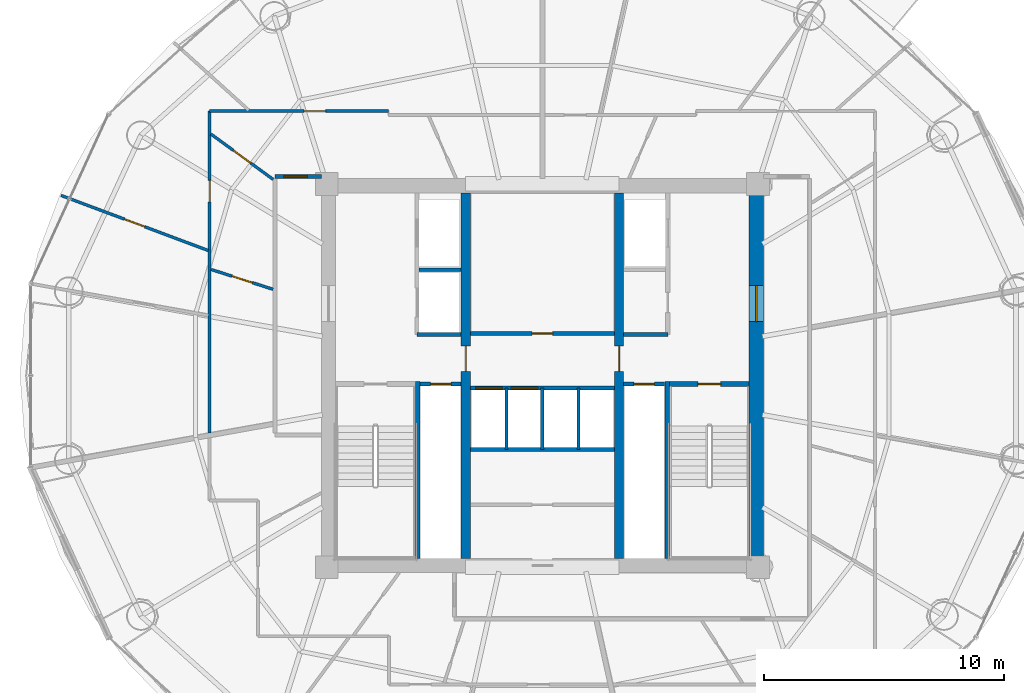
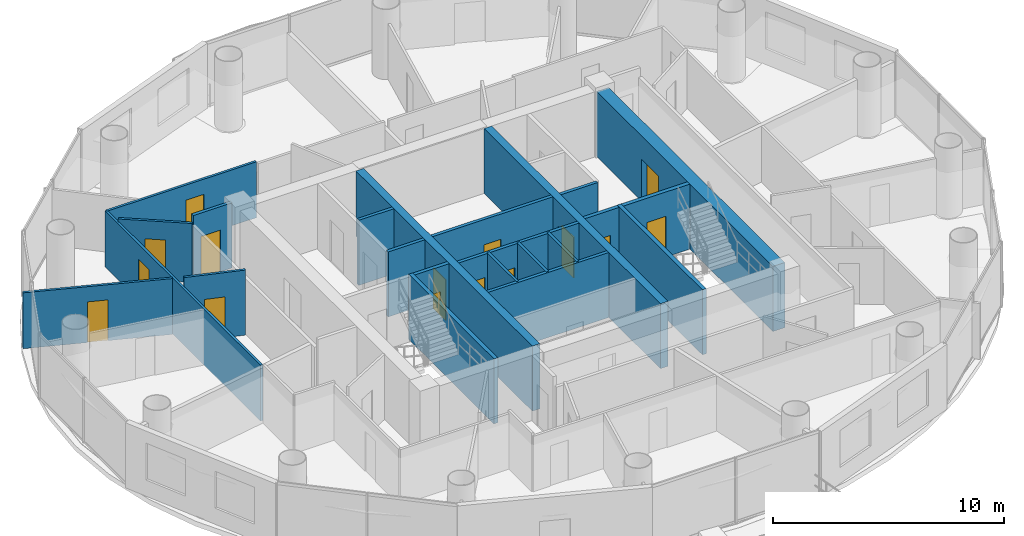
# One storey, part 21 of 27: 23 walls, 15 doors, 15 openings.
"""IFC4 building model written with IfcOpenShell, lengths in metres."""

from ifc_helpers import new_model, si_unit, direction, frame, frame_2d, origin, place, context, subcontext, project, spatial, rectangle, extrude, source, transform, mapped, material, layer, layer_set, type_object, element, fill, save


model = new_model("IFC4")

# Units and contexts
model_context = context("Model", 3, precision=1e-05, world=origin(), true_north=direction((-0.2419218956, 0.970295726276)))
body_context = subcontext(model_context, "Body", "Model", "MODEL_VIEW")
ifc_project = project(units=[si_unit("LENGTHUNIT", "METRE"), si_unit("AREAUNIT", "SQUARE_METRE"), si_unit("VOLUMEUNIT", "CUBIC_METRE"), si_unit("PLANEANGLEUNIT", "RADIAN"), si_unit("MASSUNIT", "GRAM", prefix="KILO")], contexts=[model_context])

# Site, building, storey
site_placement = place(None, origin())
site = spatial("IfcSite", under=ifc_project, at=site_placement, CompositionType="ELEMENT")
building_placement = place(site_placement, origin())
building = spatial("IfcBuilding", under=site, at=building_placement, Name="Cobrevalo Terracotta Tower", CompositionType="ELEMENT")
storey_placement = place(building_placement, frame((0.0, 0.0, 198.60009765625)))
storey = spatial("IfcBuildingStorey", under=building, at=storey_placement, Name="L52", CompositionType="ELEMENT", Elevation=198.60009765625)

# Wall, opening, door
ifc_material_1 = material(Name="Concrete C55", Category="concrete")
ifc_layer_1 = layer(ifc_material_1, 0.60009765625)
ifc_layer_set_1 = layer_set([ifc_layer_1], Name="Concrete C55")
wall_type_1 = type_object("IfcWallType", Name="Core shear wall 600 mm Concrete C55", PredefinedType="SHEAR", material=ifc_layer_set_1)
wall_1_placement = place(storey_placement, frame((46.925048828125, 19.175048828125, 0.0), z_axis=(0.0, 0.0, 1.0), x_axis=(0.0, 1.0, 0.0)))
wall_1 = element("IfcWall", 1, at=wall_1_placement, inside=storey, type_object=wall_type_1, Name="L52 east core shear wall", PredefinedType="SHEAR", context=body_context, shape_type="SweptSolid", body=[
    extrude(rectangle(XDim=15.25, YDim=0.60009765625, at=frame_2d((7.625, 0.0))), origin(), (0.0, 0.0, 1.0), 3.434814453125),
])
opening_1_placement = place(wall_1_placement, frame((9.875, 0.0, 0.0)))
opening_1 = element("IfcOpeningElement", 2, at=opening_1_placement, cuts=wall_1, Name="Opening ID-14", PredefinedType="OPENING", context=body_context, shape_type="SweptSolid", body=[
    extrude(rectangle(XDim=1.5, YDim=2.199951171875, at=frame_2d((0.75, 1.10009765625))), frame((0.0, 0.31005859375, 0.0), z_axis=(0.0, -1.0, 0.0), x_axis=(1.0, 0.0, 0.0)), (0.0, 0.0, 1.0), 0.6201171875),
])
ifc_material_2 = material(Name="Galvanized fire-rated steel", Category="steel")
door_type_1 = type_object("IfcDoorType", Name="Core cross-lobby double fire door 1500x2200 EI 90", OperationType="NOTDEFINED", PredefinedType="DOOR", material=ifc_material_2)
shared_shape_1 = source(origin(), body_context, "Body", "SweptSolid", [
    extrude(rectangle(XDim=1.5, YDim=2.199951171875, at=frame_2d((0.75, 1.10009765625))), frame((0.0, 0.02490234375, 0.0), z_axis=(0.0, -1.0, 0.0), x_axis=(1.0, 0.0, 0.0)), (0.0, 0.0, 1.0), 0.050048828125),
])
door_1_placement = place(opening_1_placement, frame((1.5, 0.0, 0.0), z_axis=(0.0, 0.0, 1.0), x_axis=(-1.0, 0.0, 0.0)))
door_1 = element("IfcDoor", 3, at=door_1_placement, inside=storey, type_object=door_type_1, Name="L52 east firefighting lobby entrance door", OperationType="DOUBLE_DOOR_SINGLE_SWING", OverallHeight=2.199951171875, OverallWidth=1.5, PredefinedType="DOOR", context=body_context, shape_type="MappedRepresentation", body=[
    mapped(shared_shape_1, transform((0.0, 0.0, 0.0), scale=1.0)),
])
fill(opening_1, door_1)

# Walls
ifc_material_3 = material(Name="Gypsum board on steel stud", Category="steel")
ifc_layer_2 = layer(ifc_material_3, 0.159912109375)
ifc_layer_set_2 = layer_set([ifc_layer_2], Name="Gypsum board on steel stud")
wall_type_2 = type_object("IfcWallType", Name="Fire-rated corridor acoustic partition wall 160 mm", PredefinedType="PARTITIONING", material=ifc_layer_set_2)
wall_2_placement = place(storey_placement, frame((32.860107421875, 31.219970703125, 0.0), z_axis=(0.0, 0.0, 1.0), x_axis=(1.0, 0.0, 0.0)))
element("IfcWall", 4, at=wall_2_placement, inside=storey, type_object=wall_type_2, Name="L52 interior partition IW-L52-FF1-M", PredefinedType="PARTITIONING", context=body_context, shape_type="SweptSolid", body=[
    extrude(rectangle(XDim=1.75, YDim=0.159912109375, at=frame_2d((0.875, 0.0))), origin(), (0.0, 0.0, 1.0), 3.434814453125),
])
for number, where, z_axis, x_axis, name in (
    (5, (32.77001953125, 28.52001953125, 0.0), (0.0, 0.0, 1.0), (1.0, 0.0, 0.0), "L52 interior partition IW-L52-FF1-S"),
    (6, (41.389892578125, 28.52001953125, 0.0), (0.0, 0.0, 1.0), (1.0, 0.0, 0.0), "L52 interior partition IW-L52-FF2-S"),
):
    element("IfcWall", number, at=place(storey_placement, frame(where, z_axis=z_axis, x_axis=x_axis)), inside=storey, type_object=wall_type_2, Name=name, PredefinedType="PARTITIONING", context=body_context, shape_type="SweptSolid", body=[
        extrude(rectangle(XDim=1.840087890625, YDim=0.159912109375, at=frame_2d((0.919921875, 0.0))), origin(), (0.0, 0.0, 1.0), 3.434814453125),
    ])

# Wall, opening, door
wall_3_placement = place(storey_placement, frame((34.989990234375, 28.56005859375, 0.0), z_axis=(0.0, 0.0, 1.0), x_axis=(1.0, 0.0, 0.0)))
wall_3 = element("IfcWall", 7, at=wall_3_placement, inside=storey, type_object=wall_type_2, Name="L52 interior partition IW-L52-LB-S", PredefinedType="PARTITIONING", context=body_context, shape_type="SweptSolid", body=[
    extrude(rectangle(XDim=6.02001953125, YDim=0.159912109375, at=frame_2d((3.010009765625, 0.0))), origin(), (0.0, 0.0, 1.0), 3.434814453125),
])
opening_2_placement = place(wall_3_placement, frame((2.5849609375, 0.0, 0.0)))
opening_2 = element("IfcOpeningElement", 8, at=opening_2_placement, cuts=wall_3, Name="Opening ID-22", PredefinedType="OPENING", context=body_context, shape_type="SweptSolid", body=[
    extrude(rectangle(XDim=0.85009765625, YDim=2.10009765625, at=frame_2d((0.425048828125, 1.050048828125))), frame((0.0, 0.08984375, 0.0), z_axis=(0.0, -1.0, 0.0), x_axis=(1.0, 0.0, 0.0)), (0.0, 0.0, 1.0), 0.179931640625),
])
ifc_material_4 = material(Name="Powder-coated steel", Category="steel")
door_type_2 = type_object("IfcDoorType", Name="Riser shaft & meter closet fire access door 850x2100 EI 60", OperationType="NOTDEFINED", PredefinedType="DOOR", material=ifc_material_4)
shared_shape_2 = source(origin(), body_context, "Body", "SweptSolid", [
    extrude(rectangle(XDim=0.85009765625, YDim=2.10009765625, at=frame_2d((0.425048828125, 1.050048828125))), frame((0.0, 0.02490234375, 0.0), z_axis=(0.0, -1.0, 0.0), x_axis=(1.0, 0.0, 0.0)), (0.0, 0.0, 1.0), 0.050048828125),
])
door_2_placement = place(opening_2_placement, origin())
door_2 = element("IfcDoor", 9, at=door_2_placement, inside=storey, type_object=door_type_2, Name="L52 core service door Floor Electrical Switchroom", OperationType="SINGLE_SWING_LEFT", OverallHeight=2.10009765625, OverallWidth=0.85009765625, PredefinedType="DOOR", context=body_context, shape_type="MappedRepresentation", body=[
    mapped(shared_shape_2, transform((0.0, 0.0, 0.0), scale=1.0)),
])
fill(opening_2, door_2)

# Wall, openings, doors
wall_4_placement = place(storey_placement, frame((34.989990234375, 26.280029296875, 0.0), z_axis=(0.0, 0.0, 1.0), x_axis=(1.0, 0.0, 0.0)))
wall_4 = element("IfcWall", 10, at=wall_4_placement, inside=storey, type_object=wall_type_2, Name="L52 interior partition IW-L52-MB-N", PredefinedType="PARTITIONING", context=body_context, shape_type="SweptSolid", body=[
    extrude(rectangle(XDim=6.02001953125, YDim=0.159912109375, at=frame_2d((3.010009765625, 0.0))), origin(), (0.0, 0.0, 1.0), 3.434814453125),
])
opening_3_placement = place(wall_4_placement, frame((0.22509765625, 0.0, 0.0)))
opening_3 = element("IfcOpeningElement", 11, at=opening_3_placement, cuts=wall_4, Name="Opening LD-01", PredefinedType="OPENING", context=body_context, shape_type="SweptSolid", body=[
    extrude(rectangle(XDim=1.10009765625, YDim=2.199951171875, at=frame_2d((0.550048828125, 1.10009765625))), frame((0.0, 0.08984375, 0.0), z_axis=(0.0, -1.0, 0.0), x_axis=(1.0, 0.0, 0.0)), (0.0, 0.0, 1.0), 0.179931640625),
])
opening_4_placement = place(wall_4_placement, frame((1.705078125, 0.0, 0.0)))
opening_4 = element("IfcOpeningElement", 12, at=opening_4_placement, cuts=wall_4, Name="Opening LD-01", PredefinedType="OPENING", context=body_context, shape_type="SweptSolid", body=[
    extrude(rectangle(XDim=1.10009765625, YDim=2.199951171875, at=frame_2d((0.550048828125, 1.10009765625))), frame((0.0, 0.08984375, 0.0), z_axis=(0.0, -1.0, 0.0), x_axis=(1.0, 0.0, 0.0)), (0.0, 0.0, 1.0), 0.179931640625),
])
ifc_material_5 = material(Name="Brushed stainless steel", Category="steel")
door_type_3 = type_object("IfcDoorType", Name="Passenger lift landing bi-parting sliding door 1100x2200 EI 90", OperationType="DOUBLE_DOOR_SLIDING", PredefinedType="DOOR", material=ifc_material_5)
shared_shape_3 = source(origin(), body_context, "Body", "SweptSolid", [
    extrude(rectangle(XDim=1.10009765625, YDim=2.199951171875, at=frame_2d((0.550048828125, 1.10009765625))), frame((0.0, 0.02490234375, 0.0), z_axis=(0.0, -1.0, 0.0), x_axis=(1.0, 0.0, 0.0)), (0.0, 0.0, 1.0), 0.050048828125),
])
door_3_placement = place(opening_3_placement, origin())
door_3 = element("IfcDoor", 13, at=door_3_placement, inside=storey, type_object=door_type_3, Name="L52 lift landing door PL-M1", OperationType="DOUBLE_DOOR_SLIDING", OverallHeight=2.199951171875, OverallWidth=1.10009765625, PredefinedType="DOOR", context=body_context, shape_type="MappedRepresentation", body=[
    mapped(shared_shape_3, transform((0.0, 0.0, 0.0), scale=1.0)),
])
fill(opening_3, door_3)
door_4_placement = place(opening_4_placement, origin())
door_4 = element("IfcDoor", 14, at=door_4_placement, inside=storey, type_object=door_type_3, Name="L52 lift landing door PL-M2", OperationType="DOUBLE_DOOR_SLIDING", OverallHeight=2.199951171875, OverallWidth=1.10009765625, PredefinedType="DOOR", context=body_context, shape_type="MappedRepresentation", body=[
    mapped(shared_shape_3, transform((0.0, 0.0, 0.0), scale=1.0)),
])
fill(opening_4, door_4)

# Wall
wall_5_placement = place(storey_placement, frame((34.989990234375, 23.719970703125, 0.0), z_axis=(0.0, 0.0, 1.0), x_axis=(1.0, 0.0, 0.0)))
element("IfcWall", 15, at=wall_5_placement, inside=storey, type_object=wall_type_2, Name="L52 interior partition IW-L52-MB-S", PredefinedType="PARTITIONING", context=body_context, shape_type="SweptSolid", body=[
    extrude(rectangle(XDim=6.02001953125, YDim=0.159912109375, at=frame_2d((3.010009765625, 0.0))), origin(), (0.0, 0.0, 1.0), 3.434814453125),
])

# Wall, opening, door
wall_6_placement = place(storey_placement, frame((26.844970703125, 35.10498046875, 0.0), z_axis=(0.0, 0.0, 1.0), x_axis=(1.0, 0.0, 0.0)))
wall_6 = element("IfcWall", 16, at=wall_6_placement, inside=storey, type_object=wall_type_2, Name="L52 interior partition IW-L52-COR-WN-CAP", PredefinedType="PARTITIONING", context=body_context, shape_type="SweptSolid", body=[
    extrude(rectangle(XDim=1.929931640625, YDim=0.159912109375, at=frame_2d((0.96484375, 0.0))), origin(), (0.0, 0.0, 1.0), 3.434814453125),
])
opening_5_placement = place(wall_6_placement, frame((0.3701171875, 0.0, 0.0)))
opening_5 = element("IfcOpeningElement", 17, at=opening_5_placement, cuts=wall_6, Name="Opening ID-05", PredefinedType="OPENING", context=body_context, shape_type="SweptSolid", body=[
    extrude(rectangle(XDim=0.97998046875, YDim=2.199951171875, at=frame_2d((0.489990234375, 1.10009765625))), frame((0.0, 0.08984375, 0.0), z_axis=(0.0, -1.0, 0.0), x_axis=(1.0, 0.0, 0.0)), (0.0, 0.0, 1.0), 0.179931640625),
])
ifc_material_6 = material(Name="Solid hardwood timber", Category="wood")
door_type_4 = type_object("IfcDoorType", Name="Residence entrance fire-rated acoustic timber door 980x2200 EI 60", OperationType="NOTDEFINED", PredefinedType="DOOR", material=ifc_material_6)
shared_shape_4 = source(origin(), body_context, "Body", "SweptSolid", [
    extrude(rectangle(XDim=0.97998046875, YDim=2.199951171875, at=frame_2d((0.489990234375, 1.10009765625))), frame((0.0, 0.02490234375, 0.0), z_axis=(0.0, -1.0, 0.0), x_axis=(1.0, 0.0, 0.0)), (0.0, 0.0, 1.0), 0.050048828125),
])
door_5_placement = place(opening_5_placement, origin())
door_5 = element("IfcDoor", 18, at=door_5_placement, inside=storey, type_object=door_type_4, Name="Flat L52B fire-rated apartment entrance door", OperationType="SINGLE_SWING_RIGHT", OverallHeight=2.199951171875, OverallWidth=0.97998046875, PredefinedType="DOOR", context=body_context, shape_type="MappedRepresentation", body=[
    mapped(shared_shape_4, transform((0.0, 0.0, 0.0), scale=1.0)),
])
fill(opening_5, door_5)

ifc_layer_3 = layer(ifc_material_3, 0.179931640625)
ifc_layer_set_3 = layer_set([ifc_layer_3], Name="Gypsum board on steel stud")
wall_type_3 = type_object("IfcWallType", Name="Fire-rated shaft & lobby acoustic partition wall 180 mm", PredefinedType="PARTITIONING", material=ifc_layer_set_3)
wall_7_placement = place(storey_placement, frame((32.89990234375, 26.449951171875, 0.0), z_axis=(0.0, 0.0, 1.0), x_axis=(1.0, 0.0, 0.0)))
wall_7 = element("IfcWall", 19, at=wall_7_placement, inside=storey, type_object=wall_type_3, Name="L52 interior partition IW-L52-RSW-N", PredefinedType="PARTITIONING", context=body_context, shape_type="SweptSolid", body=[
    extrude(rectangle(XDim=1.710205078125, YDim=0.179931640625, at=frame_2d((0.85498046875, 0.0))), origin(), (0.0, 0.0, 1.0), 3.434814453125),
])
opening_6_placement = place(wall_7_placement, frame((0.429931640625, 0.0, 0.0)))
opening_6 = element("IfcOpeningElement", 20, at=opening_6_placement, cuts=wall_7, Name="Opening ID-22", PredefinedType="OPENING", context=body_context, shape_type="SweptSolid", body=[
    extrude(rectangle(XDim=0.85009765625, YDim=2.10009765625, at=frame_2d((0.425048828125, 1.050048828125))), frame((0.0, 0.10009765625, 0.0), z_axis=(0.0, -1.0, 0.0), x_axis=(1.0, 0.0, 0.0)), (0.0, 0.0, 1.0), 0.199951171875),
])
door_6_placement = place(opening_6_placement, origin())
door_6 = element("IfcDoor", 21, at=door_6_placement, inside=storey, type_object=door_type_2, Name="L52 riser access door RSW", OperationType="SINGLE_SWING_LEFT", OverallHeight=2.10009765625, OverallWidth=0.85009765625, PredefinedType="DOOR", context=body_context, shape_type="MappedRepresentation", body=[
    mapped(shared_shape_2, transform((0.0, 0.0, 0.0), scale=1.0)),
])
fill(opening_6, door_6)

wall_8_placement = place(storey_placement, frame((41.389892578125, 26.449951171875, 0.0), z_axis=(0.0, 0.0, 1.0), x_axis=(1.0, 0.0, 0.0)))
wall_8 = element("IfcWall", 22, at=wall_8_placement, inside=storey, type_object=wall_type_3, Name="L52 interior partition IW-L52-RSE-N", PredefinedType="PARTITIONING", context=body_context, shape_type="SweptSolid", body=[
    extrude(rectangle(XDim=1.710205078125, YDim=0.179931640625, at=frame_2d((0.85498046875, 0.0))), origin(), (0.0, 0.0, 1.0), 3.434814453125),
])
opening_7_placement = place(wall_8_placement, frame((0.429931640625, 0.0, 0.0)))
opening_7 = element("IfcOpeningElement", 23, at=opening_7_placement, cuts=wall_8, Name="Opening ID-22", PredefinedType="OPENING", context=body_context, shape_type="SweptSolid", body=[
    extrude(rectangle(XDim=0.85009765625, YDim=2.10009765625, at=frame_2d((0.425048828125, 1.050048828125))), frame((0.0, 0.10009765625, 0.0), z_axis=(0.0, -1.0, 0.0), x_axis=(1.0, 0.0, 0.0)), (0.0, 0.0, 1.0), 0.199951171875),
])
door_7_placement = place(opening_7_placement, origin())
door_7 = element("IfcDoor", 24, at=door_7_placement, inside=storey, type_object=door_type_2, Name="L52 riser access door RSE", OperationType="SINGLE_SWING_RIGHT", OverallHeight=2.10009765625, OverallWidth=0.85009765625, PredefinedType="DOOR", context=body_context, shape_type="MappedRepresentation", body=[
    mapped(shared_shape_2, transform((0.0, 0.0, 0.0), scale=1.0)),
])
fill(opening_7, door_7)

# Walls
ifc_material_7 = material(Name="Autoclaved aerated concrete block", Category="concrete")
ifc_layer_4 = layer(ifc_material_7, 0.1201171875)
ifc_layer_set_4 = layer_set([ifc_layer_4], Name="Autoclaved aerated concrete block")
wall_type_4 = type_object("IfcWallType", Name="Fire-rated wet-room & core service partition 120 mm", PredefinedType="PARTITIONING", material=ifc_layer_set_4)
for number, where, z_axis, x_axis, name in (
    (25, (36.5, 23.719970703125, 0.0), (0.0, 0.0, 1.0), (0.0, 1.0, 0.0), "L52 interior partition IW-L52-MB-D1"),
    (26, (39.5, 23.719970703125, 0.0), (0.0, 0.0, 1.0), (0.0, 1.0, 0.0), "L52 interior partition IW-L52-MB-D3"),
):
    element("IfcWall", number, at=place(storey_placement, frame(where, z_axis=z_axis, x_axis=x_axis)), inside=storey, type_object=wall_type_4, Name=name, PredefinedType="PARTITIONING", context=body_context, shape_type="SweptSolid", body=[
        extrude(rectangle(XDim=2.56005859375, YDim=0.1201171875, at=frame_2d((1.280029296875, 0.0))), origin(), (0.0, 0.0, 1.0), 3.434814453125),
    ])

# Wall, opening, door
ifc_material_8 = material(Name="Concrete C50", Category="concrete")
ifc_layer_5 = layer(ifc_material_8, 0.3798828125)
ifc_layer_set_5 = layer_set([ifc_layer_5], Name="Concrete C50")
wall_type_5 = type_object("IfcWallType", Name="Internal core shear web wall 380 mm Concrete C50", PredefinedType="SHEAR", material=ifc_layer_set_5)
wall_9_placement = place(storey_placement, frame((34.800048828125, 19.175048828125, 0.0), z_axis=(0.0, 0.0, 1.0), x_axis=(0.0, 1.0, 0.0)))
wall_9 = element("IfcWall", 27, at=wall_9_placement, inside=storey, type_object=wall_type_5, Name="L52 internal core shear wall WEB-W", PredefinedType="SHEAR", context=body_context, shape_type="SweptSolid", body=[
    extrude(rectangle(XDim=15.25, YDim=0.3798828125, at=frame_2d((7.625, 0.0))), origin(), (0.0, 0.0, 1.0), 3.434814453125),
])
opening_8_placement = place(wall_9_placement, frame((7.800048828125, 0.0, 0.0)))
opening_8 = element("IfcOpeningElement", 28, at=opening_8_placement, cuts=wall_9, Name="Opening ID-11", PredefinedType="OPENING", context=body_context, shape_type="SweptSolid", body=[
    extrude(rectangle(XDim=1.050048828125, YDim=2.14990234375, at=frame_2d((0.52490234375, 1.074951171875))), frame((0.0, 0.199951171875, 0.0), z_axis=(0.0, -1.0, 0.0), x_axis=(1.0, 0.0, 0.0)), (0.0, 0.0, 1.0), 0.39990234375),
])
door_type_5 = type_object("IfcDoorType", Name="Core concourse cross fire door 1050x2150 EI 90", OperationType="NOTDEFINED", PredefinedType="DOOR", material=ifc_material_2)
shared_shape_5 = source(origin(), body_context, "Body", "SweptSolid", [
    extrude(rectangle(XDim=1.050048828125, YDim=2.14990234375, at=frame_2d((0.52490234375, 1.074951171875))), frame((0.0, 0.02490234375, 0.0), z_axis=(0.0, -1.0, 0.0), x_axis=(1.0, 0.0, 0.0)), (0.0, 0.0, 1.0), 0.050048828125),
])
door_8_placement = place(opening_8_placement, origin())
door_8 = element("IfcDoor", 29, at=door_8_placement, inside=storey, type_object=door_type_5, Name="L52 west core concourse cross door", OperationType="SINGLE_SWING_LEFT", OverallHeight=2.14990234375, OverallWidth=1.050048828125, PredefinedType="DOOR", context=body_context, shape_type="MappedRepresentation", body=[
    mapped(shared_shape_5, transform((0.0, 0.0, 0.0), scale=1.0)),
])
fill(opening_8, door_8)

wall_10_placement = place(storey_placement, frame((41.199951171875, 19.175048828125, 0.0), z_axis=(0.0, 0.0, 1.0), x_axis=(0.0, 1.0, 0.0)))
wall_10 = element("IfcWall", 30, at=wall_10_placement, inside=storey, type_object=wall_type_5, Name="L52 internal core shear wall WEB-E", PredefinedType="SHEAR", context=body_context, shape_type="SweptSolid", body=[
    extrude(rectangle(XDim=15.25, YDim=0.3798828125, at=frame_2d((7.625, 0.0))), origin(), (0.0, 0.0, 1.0), 3.434814453125),
])
opening_9_placement = place(wall_10_placement, frame((7.800048828125, 0.0, 0.0)))
opening_9 = element("IfcOpeningElement", 31, at=opening_9_placement, cuts=wall_10, Name="Opening ID-11", PredefinedType="OPENING", context=body_context, shape_type="SweptSolid", body=[
    extrude(rectangle(XDim=1.050048828125, YDim=2.14990234375, at=frame_2d((0.52490234375, 1.074951171875))), frame((0.0, 0.199951171875, 0.0), z_axis=(0.0, -1.0, 0.0), x_axis=(1.0, 0.0, 0.0)), (0.0, 0.0, 1.0), 0.39990234375),
])
door_9_placement = place(opening_9_placement, frame((1.050048828125, 0.0, 0.0), z_axis=(0.0, 0.0, 1.0), x_axis=(-1.0, 0.0, 0.0)))
door_9 = element("IfcDoor", 32, at=door_9_placement, inside=storey, type_object=door_type_5, Name="L52 east core concourse cross door", OperationType="SINGLE_SWING_RIGHT", OverallHeight=2.14990234375, OverallWidth=1.050048828125, PredefinedType="DOOR", context=body_context, shape_type="MappedRepresentation", body=[
    mapped(shared_shape_5, transform((0.0, 0.0, 0.0), scale=1.0)),
])
fill(opening_9, door_9)

# Wall
ifc_layer_6 = layer(ifc_material_7, 0.139892578125)
ifc_layer_set_6 = layer_set([ifc_layer_6], Name="Autoclaved aerated concrete block")
wall_type_6 = type_object("IfcWallType", Name="Moisture-resistant wet-room & core service partition 140 mm", PredefinedType="PARTITIONING", material=ifc_layer_set_6)
wall_11_placement = place(storey_placement, frame((38.0, 23.719970703125, 0.0), z_axis=(0.0, 0.0, 1.0), x_axis=(0.0, 1.0, 0.0)))
element("IfcWall", 33, at=wall_11_placement, inside=storey, type_object=wall_type_6, Name="L52 interior partition IW-L52-MB-D2", PredefinedType="PARTITIONING", context=body_context, shape_type="SweptSolid", body=[
    extrude(rectangle(XDim=2.56005859375, YDim=0.139892578125, at=frame_2d((1.280029296875, 0.0))), origin(), (0.0, 0.0, 1.0), 3.434814453125),
])

# Wall, opening, door
ifc_layer_7 = layer(ifc_material_3, 0.1201171875)
ifc_layer_set_7 = layer_set([ifc_layer_7], Name="Gypsum board on steel stud")
wall_type_7 = type_object("IfcWallType", Name="Residential internal acoustic stud partition 120 mm", PredefinedType="PARTITIONING", material=ifc_layer_set_7)
wall_12_placement = place(storey_placement, frame((24.114990234375, 24.40625, 0.0), z_axis=(0.0, 0.0, 1.0), x_axis=(0.0, 1.0, 0.0)))
wall_12 = element("IfcWall", 34, at=wall_12_placement, inside=storey, type_object=wall_type_7, Name="L52 interior partition IW-L52-U2-RING0_0", PredefinedType="PARTITIONING", context=body_context, shape_type="SweptSolid", body=[
    extrude(rectangle(XDim=13.4287109375, YDim=0.1201171875, at=frame_2d((6.71435546875, 0.0))), origin(), (0.0, 0.0, 1.0), 2.950927734375),
])
opening_10_placement = place(wall_12_placement, frame((9.640869140625, 0.0, 0.0)))
opening_10 = element("IfcOpeningElement", 35, at=opening_10_placement, cuts=wall_12, Name="Opening ID-12", PredefinedType="OPENING", context=body_context, shape_type="SweptSolid", body=[
    extrude(rectangle(XDim=0.89990234375, YDim=2.14990234375, at=frame_2d((0.449951171875, 1.074951171875))), frame((0.0, 0.070068359375, 0.0), z_axis=(0.0, -1.0, 0.0), x_axis=(1.0, 0.0, 0.0)), (0.0, 0.0, 1.0), 0.14013671875),
])
ifc_material_9 = material(Name="Engineered timber", Category="wood")
door_type_6 = type_object("IfcDoorType", Name="Internal residence & suite timber door 900x2150", OperationType="NOTDEFINED", PredefinedType="DOOR", material=ifc_material_9)
shared_shape_6 = source(origin(), body_context, "Body", "SweptSolid", [
    extrude(rectangle(XDim=0.89990234375, YDim=2.14990234375, at=frame_2d((0.449951171875, 1.074951171875))), frame((0.0, 0.02490234375, 0.0), z_axis=(0.0, -1.0, 0.0), x_axis=(1.0, 0.0, 0.0)), (0.0, 0.0, 1.0), 0.050048828125),
])
door_10_placement = place(opening_10_placement, origin())
door_10 = element("IfcDoor", 36, at=door_10_placement, inside=storey, type_object=door_type_6, Name="Flat L52B Master Bedroom internal door", OperationType="SINGLE_SWING_LEFT", OverallHeight=2.14990234375, OverallWidth=0.89990234375, PredefinedType="DOOR", context=body_context, shape_type="MappedRepresentation", body=[
    mapped(shared_shape_6, transform((0.0, 0.0, 0.0), scale=1.0)),
])
fill(opening_10, door_10)

wall_13_placement = place(storey_placement, frame((24.114990234375, 37.8349609375, 0.0), z_axis=(0.0, 0.0, 1.0), x_axis=(1.0, 0.0, 0.0)))
wall_13 = element("IfcWall", 37, at=wall_13_placement, inside=storey, type_object=wall_type_7, Name="L52 interior partition IW-L52-U2-RING1_0", PredefinedType="PARTITIONING", context=body_context, shape_type="SweptSolid", body=[
    extrude(rectangle(XDim=7.469970703125, YDim=0.1201171875, at=frame_2d((3.73486328125, 0.0))), origin(), (0.0, 0.0, 1.0), 2.950927734375),
])
opening_11_placement = place(wall_13_placement, frame((3.94287109375, 0.0, 0.0)))
opening_11 = element("IfcOpeningElement", 38, at=opening_11_placement, cuts=wall_13, Name="Opening ID-12", PredefinedType="OPENING", context=body_context, shape_type="SweptSolid", body=[
    extrude(rectangle(XDim=0.89990234375, YDim=2.14990234375, at=frame_2d((0.449951171875, 1.074951171875))), frame((0.0, 0.070068359375, 0.0), z_axis=(0.0, -1.0, 0.0), x_axis=(1.0, 0.0, 0.0)), (0.0, 0.0, 1.0), 0.14013671875),
])
door_11_placement = place(opening_11_placement, origin())
door_11 = element("IfcDoor", 39, at=door_11_placement, inside=storey, type_object=door_type_6, Name="Flat L52B Penthouse Living and Dining Room internal door", OperationType="SINGLE_SWING_RIGHT", OverallHeight=2.14990234375, OverallWidth=0.89990234375, PredefinedType="DOOR", context=body_context, shape_type="MappedRepresentation", body=[
    mapped(shared_shape_6, transform((0.0, 0.0, 0.0), scale=1.0)),
])
fill(opening_11, door_11)

wall_14_placement = place(storey_placement, frame((24.056884765625, 32.01904296875, 0.0), z_axis=(0.0, 0.0, 1.0), x_axis=(-0.936540194592, 0.350560214389, 0.0)))
wall_14 = element("IfcWall", 40, at=wall_14_placement, inside=storey, type_object=wall_type_7, Name="L52 interior partition IW-L52-U2-ORAD2", PredefinedType="PARTITIONING", context=body_context, shape_type="SweptSolid", body=[
    extrude(rectangle(XDim=6.55615234375, YDim=0.1201171875, at=frame_2d((3.278076171875, 0.0))), origin(), (0.0, 0.0, 1.0), 2.950927734375),
])
opening_12_placement = place(wall_14_placement, frame((2.828125, 0.0, 0.0)))
opening_12 = element("IfcOpeningElement", 41, at=opening_12_placement, cuts=wall_14, Name="Opening ID-12", PredefinedType="OPENING", context=body_context, shape_type="SweptSolid", body=[
    extrude(rectangle(XDim=0.89990234375, YDim=2.14990234375, at=frame_2d((0.449951171875, 1.074951171875))), frame((0.0, 0.070068359375, 0.0), z_axis=(0.0, -1.0, 0.0), x_axis=(1.0, 0.0, 0.0)), (0.0, 0.0, 1.0), 0.14013671875),
])
door_12_placement = place(opening_12_placement, origin())
door_12 = element("IfcDoor", 42, at=door_12_placement, inside=storey, type_object=door_type_6, Name="Flat L52B Principal Guest Bedroom internal door", OperationType="SINGLE_SWING_RIGHT", OverallHeight=2.14990234375, OverallWidth=0.89990234375, PredefinedType="DOOR", context=body_context, shape_type="MappedRepresentation", body=[
    mapped(shared_shape_6, transform((0.0, 0.0, 0.0), scale=1.0)),
])
fill(opening_12, door_12)

wall_15_placement = place(storey_placement, frame((26.764892578125, 34.986083984375, 0.0), z_axis=(0.0, 0.0, 1.0), x_axis=(-0.808220499107, 0.588879974887, 0.0)))
wall_15 = element("IfcWall", 43, at=wall_15_placement, inside=storey, type_object=wall_type_7, Name="L52 interior partition IW-L52-U2-IRAD2", PredefinedType="PARTITIONING", context=body_context, shape_type="SweptSolid", body=[
    extrude(rectangle(XDim=3.216796875, YDim=0.1201171875, at=frame_2d((1.6083984375, 0.0))), origin(), (0.0, 0.0, 1.0), 3.10986328125),
])
opening_13_placement = place(wall_15_placement, frame((1.158447265625, 0.0, 0.0)))
opening_13 = element("IfcOpeningElement", 44, at=opening_13_placement, cuts=wall_15, Name="Opening ID-12", PredefinedType="OPENING", context=body_context, shape_type="SweptSolid", body=[
    extrude(rectangle(XDim=0.89990234375, YDim=2.14990234375, at=frame_2d((0.449951171875, 1.074951171875))), frame((0.0, 0.070068359375, 0.0), z_axis=(0.0, -1.0, 0.0), x_axis=(1.0, 0.0, 0.0)), (0.0, 0.0, 1.0), 0.14013671875),
])
door_13_placement = place(opening_13_placement, origin())
door_13 = element("IfcDoor", 45, at=door_13_placement, inside=storey, type_object=door_type_6, Name="Flat L52B Kitchen internal door", OperationType="SINGLE_SWING_LEFT", OverallHeight=2.14990234375, OverallWidth=0.89990234375, PredefinedType="DOOR", context=body_context, shape_type="MappedRepresentation", body=[
    mapped(shared_shape_6, transform((0.0, 0.0, 0.0), scale=1.0)),
])
fill(opening_13, door_13)

wall_16_placement = place(storey_placement, frame((26.764892578125, 30.399658203125, 0.0), z_axis=(0.0, 0.0, 1.0), x_axis=(-0.952315722301, 0.305114347514, 0.0)))
wall_16 = element("IfcWall", 46, at=wall_16_placement, inside=storey, type_object=wall_type_7, Name="L52 interior partition IW-L52-U2-IRAD3", PredefinedType="PARTITIONING", context=body_context, shape_type="SweptSolid", body=[
    extrude(rectangle(XDim=2.720458984375, YDim=0.1201171875, at=frame_2d((1.3603515625, 0.0))), origin(), (0.0, 0.0, 1.0), 3.434814453125),
])
opening_14_placement = place(wall_16_placement, frame((0.910400390625, 0.0, 0.0)))
opening_14 = element("IfcOpeningElement", 47, at=opening_14_placement, cuts=wall_16, Name="Opening ID-12", PredefinedType="OPENING", context=body_context, shape_type="SweptSolid", body=[
    extrude(rectangle(XDim=0.89990234375, YDim=2.14990234375, at=frame_2d((0.449951171875, 1.074951171875))), frame((0.0, 0.070068359375, 0.0), z_axis=(0.0, -1.0, 0.0), x_axis=(1.0, 0.0, 0.0)), (0.0, 0.0, 1.0), 0.14013671875),
])
door_14_placement = place(opening_14_placement, origin())
door_14 = element("IfcDoor", 48, at=door_14_placement, inside=storey, type_object=door_type_6, Name="Flat L52B Home Office Study internal door", OperationType="SINGLE_SWING_RIGHT", OverallHeight=2.14990234375, OverallWidth=0.89990234375, PredefinedType="DOOR", context=body_context, shape_type="MappedRepresentation", body=[
    mapped(shared_shape_6, transform((0.0, 0.0, 0.0), scale=1.0)),
])
fill(opening_14, door_14)

# Walls
ifc_layer_8 = layer(ifc_material_8, 0.199951171875)
ifc_layer_set_8 = layer_set([ifc_layer_8], Name="Concrete C50")
wall_type_8 = type_object("IfcWallType", Name="Structural core & podium stair-shaft RC wall 200 mm Concrete C50", PredefinedType="SOLIDWALL", material=ifc_layer_set_8)
for number, where, z_axis, x_axis, name in (
    (49, (32.794921875, 19.175048828125, 0.0), (0.0, 0.0, 1.0), (0.0, 1.0, 0.0), "L52 ST-1 east structural shaft wall"),
    (50, (43.205078125, 19.175048828125, 0.0), (0.0, 0.0, 1.0), (0.0, 1.0, 0.0), "L52 ST-2 west structural shaft wall"),
):
    element("IfcWall", number, at=place(storey_placement, frame(where, z_axis=z_axis, x_axis=x_axis)), inside=storey, type_object=wall_type_8, Name=name, PredefinedType="SOLIDWALL", context=body_context, shape_type="SweptSolid", body=[
        extrude(rectangle(XDim=7.375, YDim=0.199951171875, at=frame_2d((3.6875, 0.0))), origin(), (0.0, 0.0, 1.0), 3.434814453125),
    ])

# Wall, opening, door
wall_17_placement = place(storey_placement, frame((43.304931640625, 26.449951171875, 0.0), z_axis=(0.0, 0.0, 1.0), x_axis=(1.0, 0.0, 0.0)))
wall_17 = element("IfcWall", 51, at=wall_17_placement, inside=storey, type_object=wall_type_8, Name="L52 ST-2 north structural shaft wall", PredefinedType="SOLIDWALL", context=body_context, shape_type="SweptSolid", body=[
    extrude(rectangle(XDim=3.320068359375, YDim=0.199951171875, at=frame_2d((1.66015625, 0.0))), origin(), (0.0, 0.0, 1.0), 3.434814453125),
])
opening_15_placement = place(wall_17_placement, frame((1.18505859375, 0.0, 0.0)))
opening_15 = element("IfcOpeningElement", 52, at=opening_15_placement, cuts=wall_17, Name="Opening ID-04", PredefinedType="OPENING", context=body_context, shape_type="SweptSolid", body=[
    extrude(rectangle(XDim=0.949951171875, YDim=2.14990234375, at=frame_2d((0.47509765625, 1.074951171875))), frame((0.0, 0.10986328125, 0.0), z_axis=(0.0, -1.0, 0.0), x_axis=(1.0, 0.0, 0.0)), (0.0, 0.0, 1.0), 0.219970703125),
])
door_type_7 = type_object("IfcDoorType", Name="Stair & firefighting lobby fire door 950x2150 EI 90", OperationType="NOTDEFINED", PredefinedType="DOOR", material=ifc_material_2)
shared_shape_7 = source(origin(), body_context, "Body", "SweptSolid", [
    extrude(rectangle(XDim=0.949951171875, YDim=2.14990234375, at=frame_2d((0.47509765625, 1.074951171875))), frame((0.0, 0.02490234375, 0.0), z_axis=(0.0, -1.0, 0.0), x_axis=(1.0, 0.0, 0.0)), (0.0, 0.0, 1.0), 0.050048828125),
])
door_15_placement = place(opening_15_placement, frame((0.949951171875, 0.0, 0.0), z_axis=(0.0, 0.0, 1.0), x_axis=(-1.0, 0.0, 0.0)))
door_15 = element("IfcDoor", 53, at=door_15_placement, inside=storey, type_object=door_type_7, Name="L52 protected stair ST2 fire door", OperationType="SINGLE_SWING_RIGHT", OverallHeight=2.14990234375, OverallWidth=0.949951171875, PredefinedType="DOOR", context=body_context, shape_type="MappedRepresentation", body=[
    mapped(shared_shape_7, transform((0.0, 0.0, 0.0), scale=1.0)),
])
fill(opening_15, door_15)

save(model, "model.ifc")
